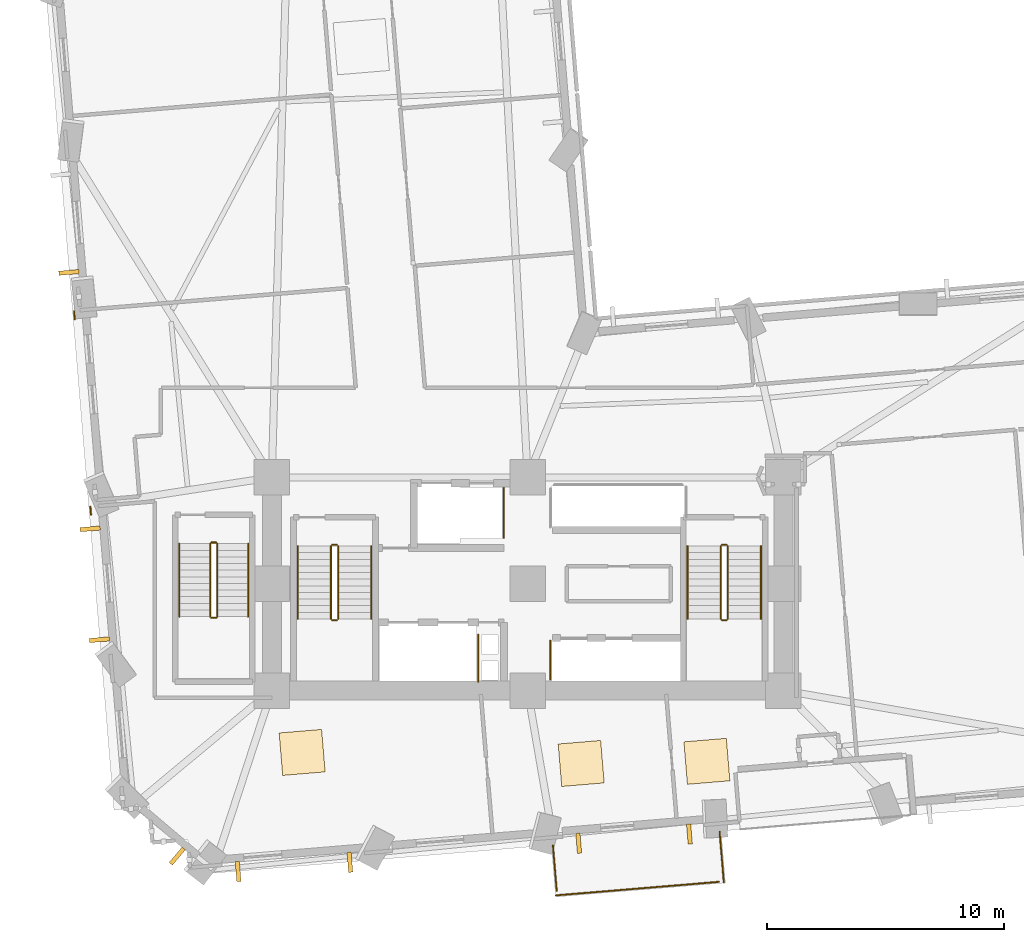
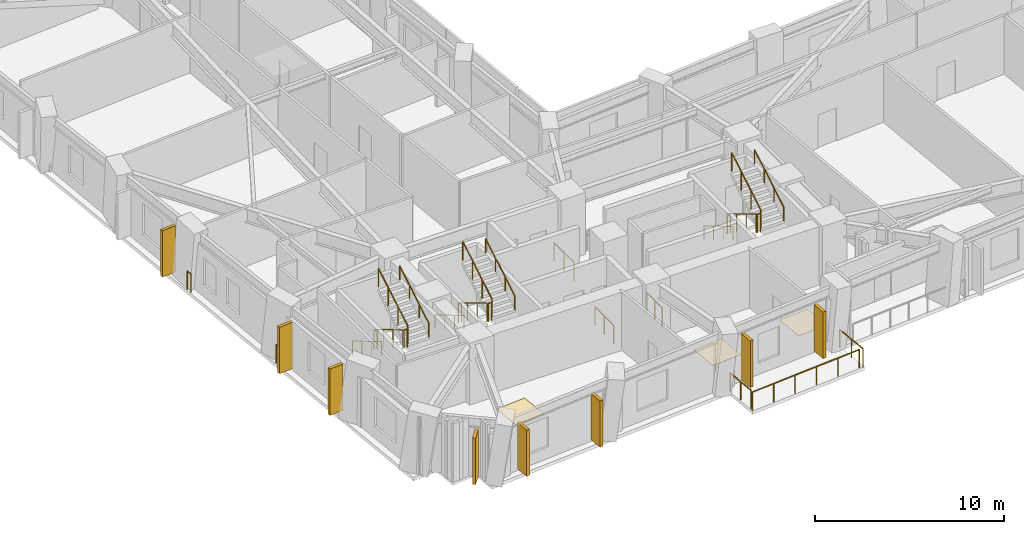
# One storey, part 11 of 14: 26 railings, 8 shading devices, 3 coverings.
"""IFC4 building model written with IfcOpenShell, lengths in metres."""

from ifc_helpers import new_model, si_unit, direction, frame, origin, origin_2d, place, context, subcontext, project, spatial, rectangle, circle, extrude, material, layer, layer_set, type_object, element, save


model = new_model("IFC4")

# Units and contexts
model_context = context("Model", 3, precision=1e-05, world=origin(), true_north=direction((0.0, 1.0)))
body_context = subcontext(model_context, "Body", "Model", "MODEL_VIEW")
ifc_project = project(units=[si_unit("LENGTHUNIT", "METRE"), si_unit("AREAUNIT", "SQUARE_METRE"), si_unit("VOLUMEUNIT", "CUBIC_METRE"), si_unit("PLANEANGLEUNIT", "RADIAN"), si_unit("MASSUNIT", "GRAM", prefix="KILO")], contexts=[model_context])

# Site, building, storey
site_placement = place(None, origin())
site = spatial("IfcSite", under=ifc_project, at=site_placement, CompositionType="ELEMENT")
building_placement = place(site_placement, origin())
building = spatial("IfcBuilding", under=site, at=building_placement, Name="Gaonmaruhae Medical Tower", CompositionType="ELEMENT")
storey_placement = place(building_placement, frame((0.0, 0.0, 43.0)))
storey = spatial("IfcBuildingStorey", under=building, at=storey_placement, Name="L09", CompositionType="ELEMENT", Elevation=43.0)

# Coverings
ifc_material_1 = material(Name="Seamless clinical vinyl flooring", Category="finish")
ifc_layer_1 = layer(ifc_material_1, 0.014892578125)
ifc_layer_set_1 = layer_set([ifc_layer_1], Name="Seamless clinical vinyl flooring")
covering_type = type_object("IfcCoveringType", Name="FLR-01 Seamless Clinical Antistatic Vinyl Flooring", PredefinedType="FLOORING", material=ifc_layer_set_1)
for number, where, z_axis, x_axis, name in (
    (1, (15.28125, 5.186767578125, 0.0), (0.0, 0.0, 1.0), (0.996565502498, 0.082808207512, 0.0), "L09 Clinical Room Vinyl Flooring 2"),
    (2, (27.060302734375, 4.720703125, 0.0), (0.0, 0.0, 1.0), (0.996565502498, 0.082808207512, 0.0), "L09 Clinical Room Vinyl Flooring 3"),
    (3, (32.3671875, 4.81201171875, 0.0), (0.0, 0.0, 1.0), (0.996565502498, 0.082808207512, 0.0), "L09 Clinical Room Vinyl Flooring 4"),
):
    element("IfcCovering", number, at=place(storey_placement, frame(where, z_axis=z_axis, x_axis=x_axis)), inside=storey, type_object=covering_type, Name=name, PredefinedType="FLOORING", context=body_context, shape_type="SweptSolid", body=[
        extrude(rectangle(XDim=1.800048828125, YDim=1.800048828125, at=origin_2d()), origin(), (0.0, 0.0, 1.0), 0.014892578125),
    ])

# Railings
ifc_material_2 = material(Name="Stainless steel 316L and laminated safety glass", Category="steel")
ifc_layer_2 = layer(ifc_material_2, 0.080078125)
ifc_layer_set_2 = layer_set([ifc_layer_2], Name="Stainless steel 316L and laminated safety glass")
railing_type_1 = type_object("IfcRailingType", Name="GD-120 Outdoor Terrace Safety Glass & Steel Balustrade", PredefinedType="BALUSTRADE", material=ifc_layer_set_2)
for number, where, name in (
    (4, (6.369873046875, 15.220458984375, 0.0), "L09 Perimeter Slab Edge Safety Balustrade 01"),
    (5, (5.684814453125, 23.46435546875, 0.0), "L09 Perimeter Slab Edge Safety Balustrade 02"),
):
    element("IfcRailing", number, at=place(storey_placement, frame(where)), inside=storey, type_object=railing_type_1, Name=name, PredefinedType="BALUSTRADE", context=body_context, shape_type="SweptSolid", body=[
        extrude(circle(Radius=0.02392578125, at=origin_2d()), frame((0.0, 0.0, 1.17578125), z_axis=(-0.083342774999, 0.996520938995, 0.0), x_axis=(-0.996520938995, -0.083342774999, 0.0)), (0.0, 0.0, 1.0), 0.33984375),
        extrude(circle(Radius=0.02099609375, at=origin_2d()), origin(), (0.0, 0.0, 1.0), 1.15185546875),
        extrude(circle(Radius=0.02099609375, at=origin_2d()), frame((-0.0283203125, 0.338623046875, 0.0)), (0.0, 0.0, 1.0), 1.15185546875),
    ])
railing_1_placement = place(storey_placement, frame((32.903564453125, 1.843505859375, 0.0)))
element("IfcRailing", 6, at=railing_1_placement, inside=storey, type_object=railing_type_1, Name="L09 Perimeter Slab Edge Safety Balustrade 07", PredefinedType="BALUSTRADE", context=body_context, shape_type="SweptSolid", body=[
    extrude(circle(Radius=0.02392578125, at=origin_2d()), frame((0.0, 0.0, 1.17578125), z_axis=(0.082849044508, -0.996562108363, 0.0), x_axis=(0.996562108363, 0.082849044508, 0.0)), (0.0, 0.0, 1.0), 2.159912109375),
    extrude(circle(Radius=0.02099609375, at=origin_2d()), origin(), (0.0, 0.0, 1.0), 1.15185546875),
    extrude(circle(Radius=0.02099609375, at=origin_2d()), frame((0.08935546875, -1.076171875, 0.0)), (0.0, 0.0, 1.0), 1.15185546875),
    extrude(circle(Radius=0.02099609375, at=origin_2d()), frame((0.178955078125, -2.152587890625, 0.0)), (0.0, 0.0, 1.0), 1.15185546875),
])
railing_2_placement = place(storey_placement, frame((32.877685546875, -0.27587890625, 0.0)))
element("IfcRailing", 7, at=railing_2_placement, inside=storey, type_object=railing_type_1, Name="L09 Perimeter Slab Edge Safety Balustrade 08", PredefinedType="BALUSTRADE", context=body_context, shape_type="SweptSolid", body=[
    extrude(circle(Radius=0.02392578125, at=origin_2d()), frame((0.0, 0.0, 1.17578125), z_axis=(-0.99656644261, -0.082796892842, 0.0), x_axis=(0.082796892842, -0.99656644261, 0.0)), (0.0, 0.0, 1.0), 6.90869140625),
    extrude(circle(Radius=0.02099609375, at=origin_2d()), origin(), (0.0, 0.0, 1.0), 1.15185546875),
    extrude(circle(Radius=0.02099609375, at=origin_2d()), frame((-1.376953125, -0.114501953125, 0.0)), (0.0, 0.0, 1.0), 1.15185546875),
    extrude(circle(Radius=0.02099609375, at=origin_2d()), frame((-2.75390625, -0.228759765625, 0.0)), (0.0, 0.0, 1.0), 1.15185546875),
    extrude(circle(Radius=0.02099609375, at=origin_2d()), frame((-4.131103515625, -0.34326171875, 0.0)), (0.0, 0.0, 1.0), 1.15185546875),
    extrude(circle(Radius=0.02099609375, at=origin_2d()), frame((-5.508056640625, -0.45751953125, 0.0)), (0.0, 0.0, 1.0), 1.15185546875),
    extrude(circle(Radius=0.02099609375, at=origin_2d()), frame((-6.885009765625, -0.572021484375, 0.0)), (0.0, 0.0, 1.0), 1.15185546875),
])
railing_3_placement = place(storey_placement, frame((26.027099609375, -0.656005859375, 0.0)))
element("IfcRailing", 8, at=railing_3_placement, inside=storey, type_object=railing_type_1, Name="L09 Perimeter Slab Edge Safety Balustrade 09", PredefinedType="BALUSTRADE", context=body_context, shape_type="SweptSolid", body=[
    extrude(circle(Radius=0.02392578125, at=origin_2d()), frame((0.0, 0.0, 1.17578125), z_axis=(-0.082845681112, 0.996562387972, 0.0), x_axis=(-0.996562387972, -0.082845681112, 0.0)), (0.0, 0.0, 1.0), 1.92138671875),
    extrude(circle(Radius=0.02099609375, at=origin_2d()), origin(), (0.0, 0.0, 1.0), 1.15185546875),
    extrude(circle(Radius=0.02099609375, at=origin_2d()), frame((-0.07958984375, 0.95751953125, 0.0)), (0.0, 0.0, 1.0), 1.15185546875),
    extrude(circle(Radius=0.02099609375, at=origin_2d()), frame((-0.1591796875, 1.914794921875, 0.0)), (0.0, 0.0, 1.0), 1.15185546875),
])
ifc_material_3 = material(Name="Stainless steel 304 handrail", Category="steel")
railing_type_2 = type_object("IfcRailingType", Name="HR-092 Continuous Stainless Steel Stair Handrail", PredefinedType="HANDRAIL", material=ifc_material_3)
railing_4_placement = place(storey_placement, frame((15.10009765625, 13.89990234375, 0.166748046875)))
element("IfcRailing", 9, at=railing_4_placement, inside=storey, type_object=railing_type_2, Name="L09 ST-01 stair handrail 1", PredefinedType="HANDRAIL", context=body_context, shape_type="SweptSolid", body=[
    extrude(circle(Radius=0.02392578125, at=origin_2d()), frame((0.0, 0.0, 0.8759765625), z_axis=(0.0, -0.859290745958, 0.51148745235), x_axis=(1.0, 0.0, 0.0)), (0.0, 0.0, 1.0), 3.584228515625),
    extrude(circle(Radius=0.02099609375, at=origin_2d()), origin(), (0.0, 0.0, 1.0), 0.851806640625),
    extrude(circle(Radius=0.02099609375, at=origin_2d()), frame((0.0, -1.026611328125, 0.611083984375)), (0.0, 0.0, 1.0), 0.851806640625),
    extrude(circle(Radius=0.02099609375, at=origin_2d()), frame((0.0, -2.05322265625, 1.22216796875)), (0.0, 0.0, 1.0), 0.851806640625),
    extrude(circle(Radius=0.02099609375, at=origin_2d()), frame((0.0, -3.079833984375, 1.833251953125)), (0.0, 0.0, 1.0), 0.851806640625),
])
railing_5_placement = place(storey_placement, frame((18.199951171875, 10.820068359375, 2.166748046875)))
element("IfcRailing", 10, at=railing_5_placement, inside=storey, type_object=railing_type_2, Name="L09 ST-01 stair handrail 2", PredefinedType="HANDRAIL", context=body_context, shape_type="SweptSolid", body=[
    extrude(circle(Radius=0.02392578125, at=origin_2d()), frame((0.0, 0.0, 0.8759765625), z_axis=(0.0, 0.859290745958, 0.51148745235), x_axis=(-1.0, 0.0, 0.0)), (0.0, 0.0, 1.0), 3.584228515625),
    extrude(circle(Radius=0.02099609375, at=origin_2d()), origin(), (0.0, 0.0, 1.0), 0.851806640625),
    extrude(circle(Radius=0.02099609375, at=origin_2d()), frame((0.0, 1.026611328125, 0.611083984375)), (0.0, 0.0, 1.0), 0.851806640625),
    extrude(circle(Radius=0.02099609375, at=origin_2d()), frame((0.0, 2.05322265625, 1.22216796875)), (0.0, 0.0, 1.0), 0.851806640625),
    extrude(circle(Radius=0.02099609375, at=origin_2d()), frame((0.0, 3.079833984375, 1.833251953125)), (0.0, 0.0, 1.0), 0.851806640625),
])
railing_6_placement = place(storey_placement, frame((31.550048828125, 13.89990234375, 0.166748046875)))
element("IfcRailing", 11, at=railing_6_placement, inside=storey, type_object=railing_type_2, Name="L09 ST-02 stair handrail 1", PredefinedType="HANDRAIL", context=body_context, shape_type="SweptSolid", body=[
    extrude(circle(Radius=0.02392578125, at=origin_2d()), frame((0.0, 0.0, 0.8759765625), z_axis=(0.0, -0.859290745958, 0.51148745235), x_axis=(1.0, 0.0, 0.0)), (0.0, 0.0, 1.0), 3.584228515625),
    extrude(circle(Radius=0.02099609375, at=origin_2d()), origin(), (0.0, 0.0, 1.0), 0.851806640625),
    extrude(circle(Radius=0.02099609375, at=origin_2d()), frame((0.0, -1.026611328125, 0.611083984375)), (0.0, 0.0, 1.0), 0.851806640625),
    extrude(circle(Radius=0.02099609375, at=origin_2d()), frame((0.0, -2.05322265625, 1.22216796875)), (0.0, 0.0, 1.0), 0.851806640625),
    extrude(circle(Radius=0.02099609375, at=origin_2d()), frame((0.0, -3.079833984375, 1.833251953125)), (0.0, 0.0, 1.0), 0.851806640625),
])
railing_7_placement = place(storey_placement, frame((34.64990234375, 10.820068359375, 2.166748046875)))
element("IfcRailing", 12, at=railing_7_placement, inside=storey, type_object=railing_type_2, Name="L09 ST-02 stair handrail 2", PredefinedType="HANDRAIL", context=body_context, shape_type="SweptSolid", body=[
    extrude(circle(Radius=0.02392578125, at=origin_2d()), frame((0.0, 0.0, 0.8759765625), z_axis=(0.0, 0.859290745958, 0.51148745235), x_axis=(-1.0, 0.0, 0.0)), (0.0, 0.0, 1.0), 3.584228515625),
    extrude(circle(Radius=0.02099609375, at=origin_2d()), origin(), (0.0, 0.0, 1.0), 0.851806640625),
    extrude(circle(Radius=0.02099609375, at=origin_2d()), frame((0.0, 1.026611328125, 0.611083984375)), (0.0, 0.0, 1.0), 0.851806640625),
    extrude(circle(Radius=0.02099609375, at=origin_2d()), frame((0.0, 2.05322265625, 1.22216796875)), (0.0, 0.0, 1.0), 0.851806640625),
    extrude(circle(Radius=0.02099609375, at=origin_2d()), frame((0.0, 3.079833984375, 1.833251953125)), (0.0, 0.0, 1.0), 0.851806640625),
])
railing_8_placement = place(storey_placement, frame((10.10009765625, 14.0, 0.166748046875)))
element("IfcRailing", 13, at=railing_8_placement, inside=storey, type_object=railing_type_2, Name="L09 ST-03 stair handrail 1", PredefinedType="HANDRAIL", context=body_context, shape_type="SweptSolid", body=[
    extrude(circle(Radius=0.02392578125, at=origin_2d()), frame((0.0, 0.0, 0.8759765625), z_axis=(0.0, -0.859308565015, 0.511457515432), x_axis=(1.0, 0.0, 0.0)), (0.0, 0.0, 1.0), 3.58447265625),
    extrude(circle(Radius=0.02099609375, at=origin_2d()), origin(), (0.0, 0.0, 1.0), 0.851806640625),
    extrude(circle(Radius=0.02099609375, at=origin_2d()), frame((0.0, -1.026611328125, 0.611083984375)), (0.0, 0.0, 1.0), 0.851806640625),
    extrude(circle(Radius=0.02099609375, at=origin_2d()), frame((0.0, -2.053466796875, 1.22216796875)), (0.0, 0.0, 1.0), 0.851806640625),
    extrude(circle(Radius=0.02099609375, at=origin_2d()), frame((0.0, -3.080078125, 1.833251953125)), (0.0, 0.0, 1.0), 0.851806640625),
])
railing_9_placement = place(storey_placement, frame((13.0, 10.919921875, 2.166748046875)))
element("IfcRailing", 14, at=railing_9_placement, inside=storey, type_object=railing_type_2, Name="L09 ST-03 stair handrail 2", PredefinedType="HANDRAIL", context=body_context, shape_type="SweptSolid", body=[
    extrude(circle(Radius=0.02392578125, at=origin_2d()), frame((0.0, 0.0, 0.8759765625), z_axis=(0.0, 0.859308565015, 0.511457515432), x_axis=(-1.0, 0.0, 0.0)), (0.0, 0.0, 1.0), 3.58447265625),
    extrude(circle(Radius=0.02099609375, at=origin_2d()), origin(), (0.0, 0.0, 1.0), 0.851806640625),
    extrude(circle(Radius=0.02099609375, at=origin_2d()), frame((0.0, 1.026611328125, 0.611083984375)), (0.0, 0.0, 1.0), 0.851806640625),
    extrude(circle(Radius=0.02099609375, at=origin_2d()), frame((0.0, 2.053466796875, 1.22216796875)), (0.0, 0.0, 1.0), 0.851806640625),
    extrude(circle(Radius=0.02099609375, at=origin_2d()), frame((0.0, 3.080078125, 1.833251953125)), (0.0, 0.0, 1.0), 0.851806640625),
])

# Shading devices
ifc_material_4 = material(Name="Pigmented coral precast concrete C45/55", Category="concrete")
shading_device_type = type_object("IfcShadingDeviceType", Name="SD-FIN1 Tower Vertical Coral Precast Shading Fin", PredefinedType="USERDEFINED", material=ifc_material_4)
for number, where, z_axis, x_axis, name in (
    (15, (17.29638671875, 0.551513671875, 0.08251953125), (0.0, 0.0, 1.0), (-0.996565502498, -0.082808207512, 0.0), "L09 Vertical Coral Precast Shading Fin S01"),
    (16, (12.578125, 0.15966796875, 0.08251953125), (0.0, 0.0, 1.0), (-0.996565502498, -0.082808207512, 0.0), "L09 Vertical Coral Precast Shading Fin S01B"),
    (17, (31.629638671875, 1.74267578125, 0.08251953125), (0.0, 0.0, 1.0), (-0.996566947622, -0.08279081415, 0.0), "L09 Vertical Coral Precast Shading Fin S03"),
    (18, (26.956298828125, 1.3544921875, 0.08251953125), (0.0, 0.0, 1.0), (-0.996566947622, -0.08279081415, 0.0), "L09 Vertical Coral Precast Shading Fin S03B"),
    (19, (5.434326171875, 25.449951171875, 0.08251953125), (0.0, 0.0, 1.0), (-0.082808207512, 0.996565502498, 0.0), "L09 Vertical Coral Precast Shading Fin W03"),
    (20, (6.722900390625, 9.943603515625, 0.08251953125), (0.0, 0.0, 1.0), (-0.082808207512, 0.996565502498, 0.0), "L09 Vertical Coral Precast Shading Fin W05"),
    (21, (6.333984375, 14.62451171875, 0.08251953125), (0.0, 0.0, 1.0), (-0.082808207512, 0.996565502498, 0.0), "L09 Vertical Coral Precast Shading Fin W05B"),
    (22, (10.010009765625, 0.810546875, 0.08251953125), (0.0, 0.0, 1.0), (-0.763243746657, 0.646110658625, 0.0), "L09 Vertical Coral Precast Shading Fin W07"),
):
    element("IfcShadingDevice", number, at=place(storey_placement, frame(where, z_axis=z_axis, x_axis=x_axis)), inside=storey, type_object=shading_device_type, Name=name, ObjectType="FIN", PredefinedType="USERDEFINED", context=body_context, shape_type="SweptSolid", body=[
        extrude(rectangle(XDim=0.179931640625, YDim=0.85009765625, at=origin_2d()), origin(), (0.0, 0.0, 1.0), 3.0),
    ])

# Railings
ifc_material_5 = material(Name="Stainless steel 304 balustrade", Category="steel")
railing_type_3 = type_object("IfcRailingType", Name="SG-112 Stair Well & Ramp Void Safety Balustrade", PredefinedType="BALUSTRADE", material=ifc_material_5)
railing_10_placement = place(storey_placement, frame((16.5, 13.89990234375, 0.166748046875)))
element("IfcRailing", 23, at=railing_10_placement, inside=storey, type_object=railing_type_3, Name="L09 ST-01 stair guard 1", PredefinedType="BALUSTRADE", context=body_context, shape_type="SweptSolid", body=[
    extrude(circle(Radius=0.02392578125, at=origin_2d()), frame((0.0, 0.0, 1.17578125), z_axis=(0.0, -0.859290745958, 0.51148745235), x_axis=(1.0, 0.0, 0.0)), (0.0, 0.0, 1.0), 3.584228515625),
    extrude(circle(Radius=0.02099609375, at=origin_2d()), origin(), (0.0, 0.0, 1.0), 1.15185546875),
    extrude(circle(Radius=0.02099609375, at=origin_2d()), frame((0.0, -1.026611328125, 0.611083984375)), (0.0, 0.0, 1.0), 1.15185546875),
    extrude(circle(Radius=0.02099609375, at=origin_2d()), frame((0.0, -2.05322265625, 1.22216796875)), (0.0, 0.0, 1.0), 1.15185546875),
    extrude(circle(Radius=0.02099609375, at=origin_2d()), frame((0.0, -3.079833984375, 1.833251953125)), (0.0, 0.0, 1.0), 1.15185546875),
])
railing_11_placement = place(storey_placement, frame((16.550048828125, 10.77001953125, 2.0)))
element("IfcRailing", 24, at=railing_11_placement, inside=storey, type_object=railing_type_3, Name="L09 ST-01 stair guard 2", PredefinedType="BALUSTRADE", context=body_context, shape_type="SweptSolid", body=[
    extrude(circle(Radius=0.02392578125, at=origin_2d()), frame((0.0, 0.0, 1.17578125), z_axis=(1.0, 0.0, 0.0), x_axis=(0.0, 1.0, 0.0)), (0.0, 0.0, 1.0), 0.199951171875),
    extrude(circle(Radius=0.02099609375, at=origin_2d()), origin(), (0.0, 0.0, 1.0), 1.15185546875),
    extrude(circle(Radius=0.02099609375, at=origin_2d()), frame((0.199951171875, 0.0, 0.0)), (0.0, 0.0, 1.0), 1.15185546875),
])
railing_12_placement = place(storey_placement, frame((16.800048828125, 10.820068359375, 2.166748046875)))
element("IfcRailing", 25, at=railing_12_placement, inside=storey, type_object=railing_type_3, Name="L09 ST-01 stair guard 3", PredefinedType="BALUSTRADE", context=body_context, shape_type="SweptSolid", body=[
    extrude(circle(Radius=0.02392578125, at=origin_2d()), frame((0.0, 0.0, 1.17578125), z_axis=(0.0, 0.859290745958, 0.51148745235), x_axis=(-1.0, 0.0, 0.0)), (0.0, 0.0, 1.0), 3.584228515625),
    extrude(circle(Radius=0.02099609375, at=origin_2d()), origin(), (0.0, 0.0, 1.0), 1.15185546875),
    extrude(circle(Radius=0.02099609375, at=origin_2d()), frame((0.0, 1.026611328125, 0.611083984375)), (0.0, 0.0, 1.0), 1.15185546875),
    extrude(circle(Radius=0.02099609375, at=origin_2d()), frame((0.0, 2.05322265625, 1.22216796875)), (0.0, 0.0, 1.0), 1.15185546875),
    extrude(circle(Radius=0.02099609375, at=origin_2d()), frame((0.0, 3.079833984375, 1.833251953125)), (0.0, 0.0, 1.0), 1.15185546875),
])
railing_13_placement = place(storey_placement, frame((16.550048828125, 13.949951171875, 0.0)))
element("IfcRailing", 26, at=railing_13_placement, inside=storey, type_object=railing_type_3, Name="L09 ST-01 stair guard 4", PredefinedType="BALUSTRADE", context=body_context, shape_type="SweptSolid", body=[
    extrude(circle(Radius=0.02392578125, at=origin_2d()), frame((0.0, 0.0, 1.17578125), z_axis=(1.0, 0.0, 0.0), x_axis=(0.0, 1.0, 0.0)), (0.0, 0.0, 1.0), 0.199951171875),
    extrude(circle(Radius=0.02099609375, at=origin_2d()), origin(), (0.0, 0.0, 1.0), 1.15185546875),
    extrude(circle(Radius=0.02099609375, at=origin_2d()), frame((0.199951171875, 0.0, 0.0)), (0.0, 0.0, 1.0), 1.15185546875),
])
railing_14_placement = place(storey_placement, frame((32.949951171875, 13.89990234375, 0.166748046875)))
element("IfcRailing", 27, at=railing_14_placement, inside=storey, type_object=railing_type_3, Name="L09 ST-02 stair guard 1", PredefinedType="BALUSTRADE", context=body_context, shape_type="SweptSolid", body=[
    extrude(circle(Radius=0.02392578125, at=origin_2d()), frame((0.0, 0.0, 1.17578125), z_axis=(0.0, -0.859290745958, 0.51148745235), x_axis=(1.0, 0.0, 0.0)), (0.0, 0.0, 1.0), 3.584228515625),
    extrude(circle(Radius=0.02099609375, at=origin_2d()), origin(), (0.0, 0.0, 1.0), 1.15185546875),
    extrude(circle(Radius=0.02099609375, at=origin_2d()), frame((0.0, -1.026611328125, 0.611083984375)), (0.0, 0.0, 1.0), 1.15185546875),
    extrude(circle(Radius=0.02099609375, at=origin_2d()), frame((0.0, -2.05322265625, 1.22216796875)), (0.0, 0.0, 1.0), 1.15185546875),
    extrude(circle(Radius=0.02099609375, at=origin_2d()), frame((0.0, -3.079833984375, 1.833251953125)), (0.0, 0.0, 1.0), 1.15185546875),
])
railing_15_placement = place(storey_placement, frame((33.0, 10.77001953125, 2.0)))
element("IfcRailing", 28, at=railing_15_placement, inside=storey, type_object=railing_type_3, Name="L09 ST-02 stair guard 2", PredefinedType="BALUSTRADE", context=body_context, shape_type="SweptSolid", body=[
    extrude(circle(Radius=0.02392578125, at=origin_2d()), frame((0.0, 0.0, 1.17578125), z_axis=(1.0, 0.0, 0.0), x_axis=(0.0, 1.0, 0.0)), (0.0, 0.0, 1.0), 0.199951171875),
    extrude(circle(Radius=0.02099609375, at=origin_2d()), origin(), (0.0, 0.0, 1.0), 1.15185546875),
    extrude(circle(Radius=0.02099609375, at=origin_2d()), frame((0.199951171875, 0.0, 0.0)), (0.0, 0.0, 1.0), 1.15185546875),
])
railing_16_placement = place(storey_placement, frame((33.25, 10.820068359375, 2.166748046875)))
element("IfcRailing", 29, at=railing_16_placement, inside=storey, type_object=railing_type_3, Name="L09 ST-02 stair guard 3", PredefinedType="BALUSTRADE", context=body_context, shape_type="SweptSolid", body=[
    extrude(circle(Radius=0.02392578125, at=origin_2d()), frame((0.0, 0.0, 1.17578125), z_axis=(0.0, 0.859290745958, 0.51148745235), x_axis=(-1.0, 0.0, 0.0)), (0.0, 0.0, 1.0), 3.584228515625),
    extrude(circle(Radius=0.02099609375, at=origin_2d()), origin(), (0.0, 0.0, 1.0), 1.15185546875),
    extrude(circle(Radius=0.02099609375, at=origin_2d()), frame((0.0, 1.026611328125, 0.611083984375)), (0.0, 0.0, 1.0), 1.15185546875),
    extrude(circle(Radius=0.02099609375, at=origin_2d()), frame((0.0, 2.05322265625, 1.22216796875)), (0.0, 0.0, 1.0), 1.15185546875),
    extrude(circle(Radius=0.02099609375, at=origin_2d()), frame((0.0, 3.079833984375, 1.833251953125)), (0.0, 0.0, 1.0), 1.15185546875),
])
railing_17_placement = place(storey_placement, frame((33.0, 13.949951171875, 0.0)))
element("IfcRailing", 30, at=railing_17_placement, inside=storey, type_object=railing_type_3, Name="L09 ST-02 stair guard 4", PredefinedType="BALUSTRADE", context=body_context, shape_type="SweptSolid", body=[
    extrude(circle(Radius=0.02392578125, at=origin_2d()), frame((0.0, 0.0, 1.17578125), z_axis=(1.0, 0.0, 0.0), x_axis=(0.0, 1.0, 0.0)), (0.0, 0.0, 1.0), 0.199951171875),
    extrude(circle(Radius=0.02099609375, at=origin_2d()), origin(), (0.0, 0.0, 1.0), 1.15185546875),
    extrude(circle(Radius=0.02099609375, at=origin_2d()), frame((0.199951171875, 0.0, 0.0)), (0.0, 0.0, 1.0), 1.15185546875),
])
railing_18_placement = place(storey_placement, frame((11.39990234375, 14.0, 0.166748046875)))
element("IfcRailing", 31, at=railing_18_placement, inside=storey, type_object=railing_type_3, Name="L09 ST-03 stair guard 1", PredefinedType="BALUSTRADE", context=body_context, shape_type="SweptSolid", body=[
    extrude(circle(Radius=0.02392578125, at=origin_2d()), frame((0.0, 0.0, 1.17578125), z_axis=(0.0, -0.859308565015, 0.511457515432), x_axis=(1.0, 0.0, 0.0)), (0.0, 0.0, 1.0), 3.58447265625),
    extrude(circle(Radius=0.02099609375, at=origin_2d()), origin(), (0.0, 0.0, 1.0), 1.15185546875),
    extrude(circle(Radius=0.02099609375, at=origin_2d()), frame((0.0, -1.026611328125, 0.611083984375)), (0.0, 0.0, 1.0), 1.15185546875),
    extrude(circle(Radius=0.02099609375, at=origin_2d()), frame((0.0, -2.053466796875, 1.22216796875)), (0.0, 0.0, 1.0), 1.15185546875),
    extrude(circle(Radius=0.02099609375, at=origin_2d()), frame((0.0, -3.080078125, 1.833251953125)), (0.0, 0.0, 1.0), 1.15185546875),
])
railing_19_placement = place(storey_placement, frame((11.449951171875, 10.8701171875, 2.0)))
element("IfcRailing", 32, at=railing_19_placement, inside=storey, type_object=railing_type_3, Name="L09 ST-03 stair guard 2", PredefinedType="BALUSTRADE", context=body_context, shape_type="SweptSolid", body=[
    extrude(circle(Radius=0.02392578125, at=origin_2d()), frame((0.0, 0.0, 1.17578125), z_axis=(1.0, 0.0, 0.0), x_axis=(0.0, 1.0, 0.0)), (0.0, 0.0, 1.0), 0.199951171875),
    extrude(circle(Radius=0.02099609375, at=origin_2d()), origin(), (0.0, 0.0, 1.0), 1.15185546875),
    extrude(circle(Radius=0.02099609375, at=origin_2d()), frame((0.199951171875, 0.0, 0.0)), (0.0, 0.0, 1.0), 1.15185546875),
])
railing_20_placement = place(storey_placement, frame((11.699951171875, 10.919921875, 2.166748046875)))
element("IfcRailing", 33, at=railing_20_placement, inside=storey, type_object=railing_type_3, Name="L09 ST-03 stair guard 3", PredefinedType="BALUSTRADE", context=body_context, shape_type="SweptSolid", body=[
    extrude(circle(Radius=0.02392578125, at=origin_2d()), frame((0.0, 0.0, 1.17578125), z_axis=(0.0, 0.859308565015, 0.511457515432), x_axis=(-1.0, 0.0, 0.0)), (0.0, 0.0, 1.0), 3.58447265625),
    extrude(circle(Radius=0.02099609375, at=origin_2d()), origin(), (0.0, 0.0, 1.0), 1.15185546875),
    extrude(circle(Radius=0.02099609375, at=origin_2d()), frame((0.0, 1.026611328125, 0.611083984375)), (0.0, 0.0, 1.0), 1.15185546875),
    extrude(circle(Radius=0.02099609375, at=origin_2d()), frame((0.0, 2.053466796875, 1.22216796875)), (0.0, 0.0, 1.0), 1.15185546875),
    extrude(circle(Radius=0.02099609375, at=origin_2d()), frame((0.0, 3.080078125, 1.833251953125)), (0.0, 0.0, 1.0), 1.15185546875),
])
railing_21_placement = place(storey_placement, frame((11.449951171875, 14.050048828125, 0.0)))
element("IfcRailing", 34, at=railing_21_placement, inside=storey, type_object=railing_type_3, Name="L09 ST-03 stair guard 4", PredefinedType="BALUSTRADE", context=body_context, shape_type="SweptSolid", body=[
    extrude(circle(Radius=0.02392578125, at=origin_2d()), frame((0.0, 0.0, 1.17578125), z_axis=(1.0, 0.0, 0.0), x_axis=(0.0, 1.0, 0.0)), (0.0, 0.0, 1.0), 0.199951171875),
    extrude(circle(Radius=0.02099609375, at=origin_2d()), origin(), (0.0, 0.0, 1.0), 1.15185546875),
    extrude(circle(Radius=0.02099609375, at=origin_2d()), frame((0.199951171875, 0.0, 0.0)), (0.0, 0.0, 1.0), 1.15185546875),
])
railing_22_placement = place(storey_placement, frame((25.7548828125, 8.27001953125, 0.0)))
element("IfcRailing", 35, at=railing_22_placement, inside=storey, type_object=railing_type_3, Name="L09 Shaft Edge Safety Guard 10", PredefinedType="BALUSTRADE", context=body_context, shape_type="SweptSolid", body=[
    extrude(circle(Radius=0.02392578125, at=origin_2d()), frame((0.0, 0.0, 1.17578125), z_axis=(0.0, 1.0, 0.0), x_axis=(-1.0, 0.0, 0.0)), (0.0, 0.0, 1.0), 1.635009765625),
    extrude(circle(Radius=0.02099609375, at=origin_2d()), origin(), (0.0, 0.0, 1.0), 1.15185546875),
    extrude(circle(Radius=0.02099609375, at=origin_2d()), frame((0.0, 0.8173828125, 0.0)), (0.0, 0.0, 1.0), 1.15185546875),
    extrude(circle(Radius=0.02099609375, at=origin_2d()), frame((0.0, 1.635009765625, 0.0)), (0.0, 0.0, 1.0), 1.15185546875),
])
railing_23_placement = place(storey_placement, frame((22.719970703125, 10.159912109375, 0.0)))
element("IfcRailing", 36, at=railing_23_placement, inside=storey, type_object=railing_type_3, Name="L09 Shaft Edge Safety Guard 11", PredefinedType="BALUSTRADE", context=body_context, shape_type="SweptSolid", body=[
    extrude(circle(Radius=0.02392578125, at=origin_2d()), frame((0.0, 0.0, 1.17578125), z_axis=(0.0, -1.0, 0.0), x_axis=(1.0, 0.0, 0.0)), (0.0, 0.0, 1.0), 1.994873046875),
    extrude(circle(Radius=0.02099609375, at=origin_2d()), origin(), (0.0, 0.0, 1.0), 1.15185546875),
    extrude(circle(Radius=0.02099609375, at=origin_2d()), frame((0.0, -0.99755859375, 0.0)), (0.0, 0.0, 1.0), 1.15185546875),
    extrude(circle(Radius=0.02099609375, at=origin_2d()), frame((0.0, -1.994873046875, 0.0)), (0.0, 0.0, 1.0), 1.15185546875),
])
railing_24_placement = place(storey_placement, frame((23.794921875, 16.35498046875, 0.0)))
element("IfcRailing", 37, at=railing_24_placement, inside=storey, type_object=railing_type_3, Name="L09 Shaft Edge Safety Guard 12", PredefinedType="BALUSTRADE", context=body_context, shape_type="SweptSolid", body=[
    extrude(circle(Radius=0.02392578125, at=origin_2d()), frame((0.0, 0.0, 1.17578125), z_axis=(0.0, -1.0, 0.0), x_axis=(1.0, 0.0, 0.0)), (0.0, 0.0, 1.0), 2.10986328125),
    extrude(circle(Radius=0.02099609375, at=origin_2d()), origin(), (0.0, 0.0, 1.0), 1.15185546875),
    extrude(circle(Radius=0.02099609375, at=origin_2d()), frame((0.0, -1.054931640625, 0.0)), (0.0, 0.0, 1.0), 1.15185546875),
    extrude(circle(Radius=0.02099609375, at=origin_2d()), frame((0.0, -2.10986328125, 0.0)), (0.0, 0.0, 1.0), 1.15185546875),
])

save(model, "model.ifc")
